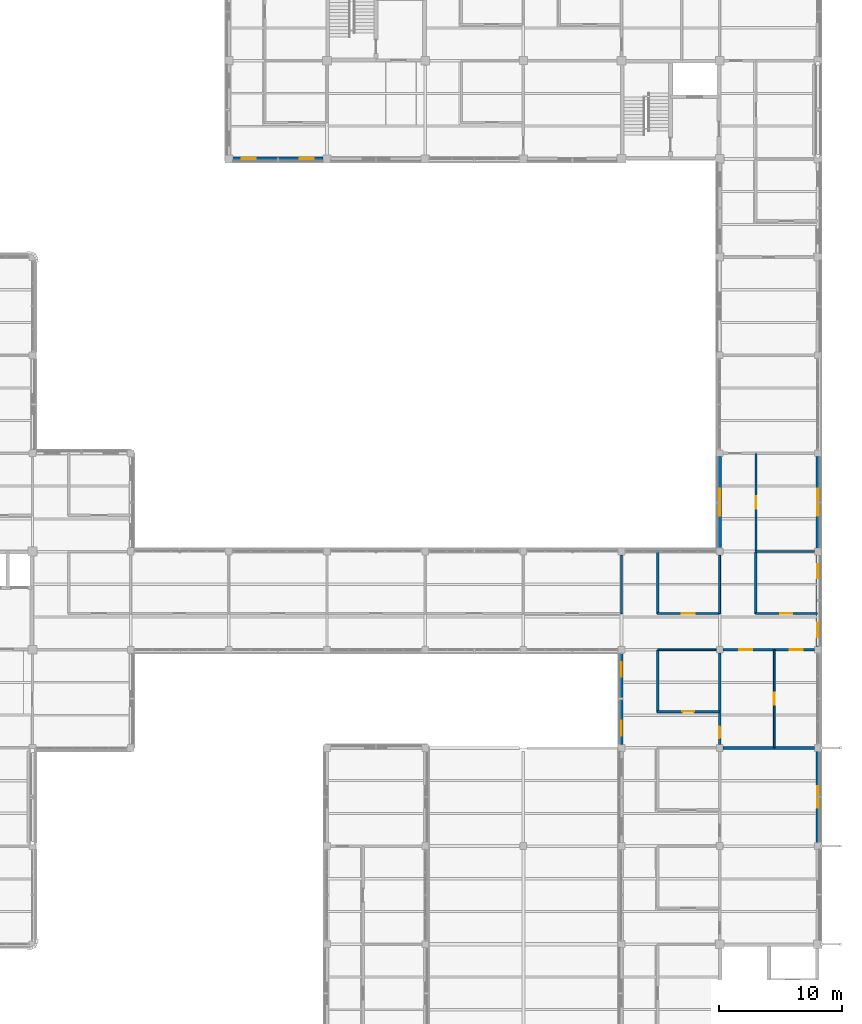
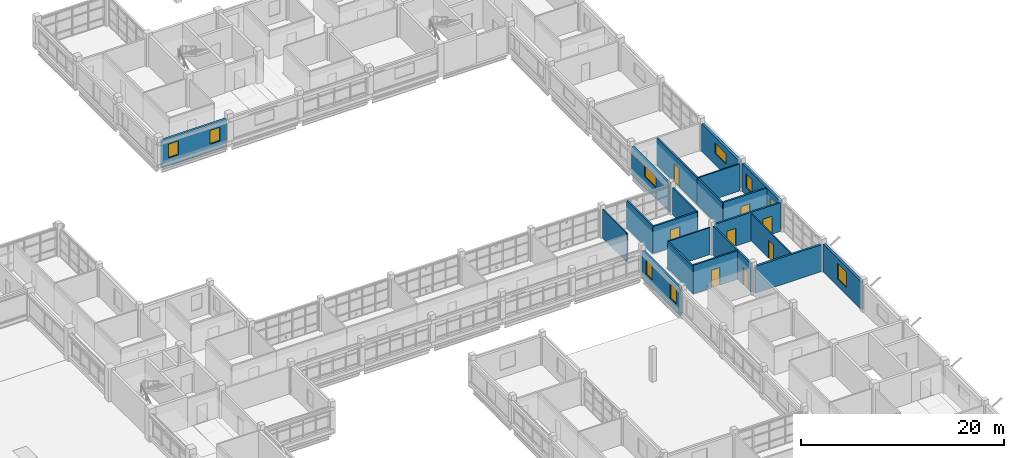
# One storey, part 85 of 107: 21 walls, 9 windows, 8 doors, 17 openings.
"""IFC4 building model written with IfcOpenShell, lengths in metres."""

import ifcopenshell
import ifcopenshell.guid

model = None  # the IFC model being written
_history = None  # IfcOwnerHistory: only IFC2X3 demands one
_inside = {}  # id of a spatial element -> (the spatial element, [elements in it])
_under = {}  # id of a project, library or spatial element -> (it, [spatial elements below it])
_declared = {}  # id of a project -> (the project, [libraries it declares])
_typed = {}  # id of a type object -> (the type object, [elements of that type])
_made_of = {}  # id of a material, layer set ... -> (it, [elements and type objects made of it])


def new_model(schema):
    """Start an empty IFC model of exactly this schema.

    Asked for "IFC4X3", IfcOpenShell would pick the latest addendum, in which some entities
    have other attributes; the version numbers below select the first issue.
    IFC2X3 requires an IfcOwnerHistory on every rooted entity: one is made here for all.
    """
    global model, _history
    if schema == "IFC4X3":
        model = ifcopenshell.file(schema_version=(4, 3, 0, 0))
    else:
        model = ifcopenshell.file(schema=schema)
    _inside.clear()
    _under.clear()
    _declared.clear()
    _typed.clear()
    _made_of.clear()
    _history = None
    if model.schema == "IFC2X3":
        org = make("IfcOrganization", Name="unknown")
        user = make(
            "IfcPersonAndOrganization",
            ThePerson=make("IfcPerson", FamilyName="unknown"),
            TheOrganization=org,
        )
        app = make(
            "IfcApplication",
            ApplicationDeveloper=org,
            Version="unknown",
            ApplicationFullName="unknown",
            ApplicationIdentifier="unknown",
        )
        _history = make(
            "IfcOwnerHistory",
            OwningUser=user,
            OwningApplication=app,
            ChangeAction="ADDED",
            CreationDate=0,
        )
    return model


def make(cls, **values):
    """One entity of the class cls with the attributes given. An attribute that is None is left unset."""
    return model.create_entity(
        cls, **{name: value for name, value in values.items() if value is not None}
    )


def rooted(cls, **values):
    """An entity with a GlobalId (a new one), such as an element, a storey or a relation."""
    return make(cls, GlobalId=ifcopenshell.guid.new(), OwnerHistory=_history, **values)


def si_unit(unit_type, name, prefix=None):
    """IfcSIUnit, for example si_unit("LENGTHUNIT", "METRE", prefix="MILLI")."""
    return make("IfcSIUnit", UnitType=unit_type, Prefix=prefix, Name=name)


def derived_unit(unit_type, elements):
    """IfcDerivedUnit: a product of units, each with its exponent."""
    return make(
        "IfcDerivedUnit",
        Elements=[
            make("IfcDerivedUnitElement", Unit=unit, Exponent=power)
            for unit, power in elements
        ],
        UnitType=unit_type,
    )


def assignment(units):
    """IfcUnitAssignment: the units of a project."""
    return None if units is None else make("IfcUnitAssignment", Units=units)


def point(xyz):
    """IfcCartesianPoint."""
    return None if xyz is None else make("IfcCartesianPoint", Coordinates=xyz)


def direction(xyz):
    """IfcDirection."""
    return None if xyz is None else make("IfcDirection", DirectionRatios=xyz)


def frame(location, z_axis=None, x_axis=None):
    """IfcAxis2Placement3D, a coordinate frame: its origin and axes. An axis left out is left unset."""
    return make(
        "IfcAxis2Placement3D",
        Location=point(location),
        Axis=direction(z_axis),
        RefDirection=direction(x_axis),
    )


def frame_2d(location, x_axis=None):
    """IfcAxis2Placement2D, a coordinate frame in the plane: its origin and x axis."""
    return make(
        "IfcAxis2Placement2D", Location=point(location), RefDirection=direction(x_axis)
    )


def origin():
    """The frame at (0, 0, 0) with its axes left unset."""
    return frame((0.0, 0.0, 0.0))


def place(relative_to, where):
    """IfcLocalPlacement: puts the frame where relative to a parent placement (None: the world)."""
    return make(
        "IfcLocalPlacement", PlacementRelTo=relative_to, RelativePlacement=where
    )


def context(
    kind, dimensions, precision=None, world=None, true_north=None, identifier=None
):
    """IfcGeometricRepresentationContext, for example the 3D "Model" context."""
    return make(
        "IfcGeometricRepresentationContext",
        ContextIdentifier=identifier,
        ContextType=kind,
        CoordinateSpaceDimension=dimensions,
        Precision=precision,
        WorldCoordinateSystem=world,
        TrueNorth=true_north,
    )


def subcontext(parent, identifier, kind, view, scale=None):
    """IfcGeometricRepresentationSubContext, for example "Body" below "Model"."""
    return make(
        "IfcGeometricRepresentationSubContext",
        ContextIdentifier=identifier,
        ContextType=kind,
        ParentContext=parent,
        TargetScale=scale,
        TargetView=view,
    )


def project(units=None, contexts=None):
    """IfcProject with its units and contexts."""
    return rooted(
        "IfcProject",
        Name="project",
        RepresentationContexts=contexts,
        UnitsInContext=assignment(units),
    )


def spatial(cls, under=None, at=None, **own):
    """A site, building, storey or space (cls), placed at a placement, below another one or the project."""
    s = rooted(cls, ObjectPlacement=at, **own)
    if under is not None:
        _under.setdefault(under.id(), (under, []))[1].append(s)
    return s


def profile(cls, at=None, kind="AREA", **sizes):
    """A parametric profile (cls). Its sizes go by their IFC names, for example OverallWidth=200.0."""
    return make(cls, ProfileType=kind, Position=at, **sizes)


def rectangle(**sizes):
    """IfcRectangleProfileDef."""
    return profile("IfcRectangleProfileDef", **sizes)


def extrude(swept, where, along, depth):
    """IfcExtrudedAreaSolid: the profile swept, set in the frame where, extruded along a direction by depth."""
    return make(
        "IfcExtrudedAreaSolid",
        SweptArea=swept,
        Position=where,
        ExtrudedDirection=direction(along),
        Depth=depth,
    )


def shape(context_of_items, identifier, shape_type, items):
    """IfcShapeRepresentation: the items that make up one representation, for example the "Body"."""
    return make(
        "IfcShapeRepresentation",
        ContextOfItems=context_of_items,
        RepresentationIdentifier=identifier,
        RepresentationType=shape_type,
        Items=items,
    )


def material(Name=None, Category=None):
    """IfcMaterial."""
    return make("IfcMaterial", Name=Name, Category=Category)


def layer(
    of_material, thickness, ventilated=None, Name=None, Category=None, Priority=None
):
    """IfcMaterialLayer: one layer of a wall or slab, of a material (None: an air gap)."""
    return make(
        "IfcMaterialLayer",
        Material=of_material,
        LayerThickness=thickness,
        IsVentilated=ventilated,
        Name=Name,
        Category=Category,
        Priority=Priority,
    )


def layer_set(layers, Name=None):
    """IfcMaterialLayerSet."""
    return make("IfcMaterialLayerSet", MaterialLayers=layers, LayerSetName=Name)


def made_of(thing, what):
    """Note that an element or type object is made of a material, layer set ...; save() writes the relation."""
    if what is not None:
        _made_of.setdefault(what.id(), (what, []))[1].append(thing)
    return thing


def type_object(cls, material=None, **own):
    """A type object (cls), such as IfcWallType, which elements share."""
    return made_of(rooted(cls, **own), material)


def element(
    cls,
    number,
    at=None,
    inside=None,
    cuts=None,
    type_object=None,
    material=None,
    context=None,
    identifier="Body",
    shape_type=None,
    held_by="IfcProductDefinitionShape",
    body=None,
    shapes=None,
    **own,
):
    """One element of the class cls, such as IfcWall. Its Tag is "e" and its number.

    at: its placement. inside: the storey or other place that contains it. cuts: it is an
    opening in that element (IfcRelVoidsElement). A single representation is given by context,
    identifier, shape_type and body (its items); several are given by shapes. held_by: the class
    of the entity that holds the representations. save() writes the other relations.
    """
    e = rooted(cls, Tag="e%d" % number, ObjectPlacement=at, **own)
    if body is not None:
        shapes = [shape(context, identifier, shape_type, body)]
    if shapes is not None:
        e.Representation = make(held_by, Representations=shapes)
    if inside is not None:
        _inside.setdefault(inside.id(), (inside, []))[1].append(e)
    if cuts is not None:
        rooted(
            "IfcRelVoidsElement", RelatingBuildingElement=cuts, RelatedOpeningElement=e
        )
    if type_object is not None:
        _typed.setdefault(type_object.id(), (type_object, []))[1].append(e)
    return made_of(e, material)


def fill(opening, filler):
    """IfcRelFillsElement: the door or window that sits in an opening."""
    return rooted(
        "IfcRelFillsElement",
        RelatingOpeningElement=opening,
        RelatedBuildingElement=filler,
    )


def aggregate(whole, parts):
    """IfcRelAggregates: a whole, such as a stair, and the parts it consists of."""
    return rooted("IfcRelAggregates", RelatingObject=whole, RelatedObjects=parts)


def save(model, path):
    """Write the relations noted so far, then the file.

    IfcRelAggregates (storeys below a building ...), IfcRelContainedInSpatialStructure (elements
    in a storey), IfcRelDefinesByType, IfcRelAssociatesMaterial and IfcRelDeclares: one each for
    every whole, place, type object, material and project.
    """
    for whole, parts in _under.values():
        aggregate(whole, parts)
    for where, things in _inside.values():
        rooted(
            "IfcRelContainedInSpatialStructure",
            RelatedElements=things,
            RelatingStructure=where,
        )
    for kind, things in _typed.values():
        rooted("IfcRelDefinesByType", RelatedObjects=things, RelatingType=kind)
    for what, things in _made_of.values():
        rooted("IfcRelAssociatesMaterial", RelatedObjects=things, RelatingMaterial=what)
    for by, libraries in _declared.values():
        rooted("IfcRelDeclares", RelatingContext=by, RelatedDefinitions=libraries)
    model.write(path)


model = new_model("IFC4")

# Units and contexts
model_context = context("Model", 3, precision=1e-05, world=origin(), true_north=direction((0.0, 1.0)))
body_context = subcontext(model_context, "Body", "Model", "MODEL_VIEW")
ifc_project = project(units=[si_unit("LENGTHUNIT", "METRE"), si_unit("AREAUNIT", "SQUARE_METRE"), si_unit("VOLUMEUNIT", "CUBIC_METRE"), si_unit("PLANEANGLEUNIT", "RADIAN"), si_unit("MASSUNIT", "GRAM", prefix="KILO"), derived_unit("THERMALTRANSMITTANCEUNIT", [(si_unit("MASSUNIT", "GRAM", prefix="KILO"), 1), (si_unit("TIMEUNIT", "SECOND"), -3), (si_unit("THERMODYNAMICTEMPERATUREUNIT", "KELVIN"), -1)])], contexts=[model_context])

# Site, building, storey
site_placement = place(None, origin())
site = spatial("IfcSite", under=ifc_project, at=site_placement, CompositionType="ELEMENT")
building_placement = place(site_placement, origin())
building = spatial("IfcBuilding", under=site, at=building_placement, Name="Veyamyaing Civic Hall", CompositionType="ELEMENT")
storey_placement = place(building_placement, frame((0.0, 0.0, 13.860107421875)))
storey = spatial("IfcBuildingStorey", under=building, at=storey_placement, Name="L03", CompositionType="ELEMENT", Elevation=13.860107421875)

# Wall, openings, windows
ifc_material_1 = material(Name="Precast concrete C40/50", Category="concrete")
ifc_layer_1 = layer(ifc_material_1, 0.280029296875, Name="Precast concrete C40/50")
ifc_layer_set_1 = layer_set([ifc_layer_1], Name="Precast concrete C40/50")
wall_type_1 = type_object("IfcWallType", Name="WT-04", PredefinedType="SOLIDWALL", material=ifc_layer_set_1)
wall_1_placement = place(storey_placement, frame((128.31005859375, 88.0, 0.0), z_axis=(0.0, 0.0, 1.0), x_axis=(1.0, 0.0, 0.0)))
wall_1 = element("IfcWall", 1, at=wall_1_placement, inside=storey, type_object=wall_type_1, Name="Exterior facade wall WT-04 L03 S 17.12", PredefinedType="SOLIDWALL", context=body_context, shape_type="SweptSolid", body=[
    extrude(rectangle(XDim=7.3798828125, YDim=0.280029296875, at=frame_2d((3.68994140625, 0.0))), origin(), (0.0, 0.0, 1.0), 3.303955078125),
])
opening_1_placement = place(wall_1_placement, frame((0.75341796875, 0.0, 0.949951171875)))
opening_1 = element("IfcOpeningElement", 2, at=opening_1_placement, cuts=wall_1, Name="Opening W-32", PredefinedType="OPENING", context=body_context, shape_type="SweptSolid", body=[
    extrude(rectangle(XDim=1.14990234375, YDim=1.64990234375, at=frame_2d((0.574951171875, 0.824951171875))), frame((0.0, 0.14990234375, 0.0), z_axis=(0.0, -1.0, 0.0), x_axis=(1.0, 0.0, 0.0)), (0.0, 0.0, 1.0), 0.300048828125),
])
opening_2_placement = place(wall_1_placement, frame((5.4765625, 0.0, 0.949951171875)))
opening_2 = element("IfcOpeningElement", 3, at=opening_2_placement, cuts=wall_1, Name="Opening W-32", PredefinedType="OPENING", context=body_context, shape_type="SweptSolid", body=[
    extrude(rectangle(XDim=1.14990234375, YDim=1.64990234375, at=frame_2d((0.574951171875, 0.824951171875))), frame((0.0, 0.14990234375, 0.0), z_axis=(0.0, -1.0, 0.0), x_axis=(1.0, 0.0, 0.0)), (0.0, 0.0, 1.0), 0.300048828125),
])
ifc_material_2 = material(Name="Low-E insulated glass", Category="glass")
window_type_1 = type_object("IfcWindowType", Name="W-32", PartitioningType="SINGLE_PANEL", PredefinedType="WINDOW", material=ifc_material_2)
window_1_placement = place(opening_1_placement, origin())
window_1 = element("IfcWindow", 4, at=window_1_placement, inside=storey, type_object=window_type_1, Name="Facade window W-32 L03 S 17.12.1", OverallHeight=1.64990234375, OverallWidth=1.14990234375, PartitioningType="SINGLE_PANEL", PredefinedType="WINDOW", context=body_context, shape_type="SweptSolid", body=[
    extrude(rectangle(XDim=1.14990234375, YDim=1.64990234375, at=frame_2d((0.574951171875, 0.824951171875))), frame((0.0, 0.030029296875, 0.0), z_axis=(0.0, -1.0, 0.0), x_axis=(1.0, 0.0, 0.0)), (0.0, 0.0, 1.0), 0.06005859375),
])
fill(opening_1, window_1)
window_2_placement = place(opening_2_placement, origin())
window_2 = element("IfcWindow", 5, at=window_2_placement, inside=storey, type_object=window_type_1, Name="Facade window W-32 L03 S 17.12.2", OverallHeight=1.64990234375, OverallWidth=1.14990234375, PartitioningType="SINGLE_PANEL", PredefinedType="WINDOW", context=body_context, shape_type="SweptSolid", body=[
    extrude(rectangle(XDim=1.14990234375, YDim=1.64990234375, at=frame_2d((0.574951171875, 0.824951171875))), frame((0.0, 0.030029296875, 0.0), z_axis=(0.0, -1.0, 0.0), x_axis=(1.0, 0.0, 0.0)), (0.0, 0.0, 1.0), 0.06005859375),
])
fill(opening_2, window_2)

wall_2_placement = place(storey_placement, frame((160.0, 40.260009765625, 0.0), z_axis=(0.0, 0.0, 1.0), x_axis=(0.0, 1.0, 0.0)))
wall_2 = element("IfcWall", 6, at=wall_2_placement, inside=storey, type_object=wall_type_1, Name="Exterior facade wall WT-04 L03 W 21.6", PredefinedType="SOLIDWALL", context=body_context, shape_type="SweptSolid", body=[
    extrude(rectangle(XDim=7.47998046875, YDim=0.280029296875, at=frame_2d((3.739990234375, 0.0))), origin(), (0.0, 0.0, 1.0), 3.304931640625),
])
opening_3_placement = place(wall_2_placement, frame((0.746337890625, 0.0, 0.949951171875)))
opening_3 = element("IfcOpeningElement", 7, at=opening_3_placement, cuts=wall_2, Name="Opening W-14", PredefinedType="OPENING", context=body_context, shape_type="SweptSolid", body=[
    extrude(rectangle(XDim=1.199951171875, YDim=1.800048828125, at=frame_2d((0.60009765625, 0.89990234375))), frame((0.0, 0.14990234375, 0.0), z_axis=(0.0, -1.0, 0.0), x_axis=(1.0, 0.0, 0.0)), (0.0, 0.0, 1.0), 0.300048828125),
])
opening_4_placement = place(wall_2_placement, frame((5.53369140625, 0.0, 0.949951171875)))
opening_4 = element("IfcOpeningElement", 8, at=opening_4_placement, cuts=wall_2, Name="Opening W-14", PredefinedType="OPENING", context=body_context, shape_type="SweptSolid", body=[
    extrude(rectangle(XDim=1.199951171875, YDim=1.800048828125, at=frame_2d((0.60009765625, 0.89990234375))), frame((0.0, 0.14990234375, 0.0), z_axis=(0.0, -1.0, 0.0), x_axis=(1.0, 0.0, 0.0)), (0.0, 0.0, 1.0), 0.300048828125),
])
window_type_2 = type_object("IfcWindowType", Name="W-14", PartitioningType="SINGLE_PANEL", PredefinedType="WINDOW", material=ifc_material_2)
window_3_placement = place(opening_3_placement, origin())
window_3 = element("IfcWindow", 9, at=window_3_placement, inside=storey, type_object=window_type_2, Name="Facade window W-14 L03 W 21.6.1", OverallHeight=1.800048828125, OverallWidth=1.199951171875, PartitioningType="SINGLE_PANEL", PredefinedType="WINDOW", context=body_context, shape_type="SweptSolid", body=[
    extrude(rectangle(XDim=1.199951171875, YDim=1.800048828125, at=frame_2d((0.60009765625, 0.89990234375))), frame((0.0, 0.030029296875, 0.0), z_axis=(0.0, -1.0, 0.0), x_axis=(1.0, 0.0, 0.0)), (0.0, 0.0, 1.0), 0.06005859375),
])
fill(opening_3, window_3)
window_4_placement = place(opening_4_placement, origin())
window_4 = element("IfcWindow", 10, at=window_4_placement, inside=storey, type_object=window_type_2, Name="Facade window W-14 L03 W 21.6.2", OverallHeight=1.800048828125, OverallWidth=1.199951171875, PartitioningType="SINGLE_PANEL", PredefinedType="WINDOW", context=body_context, shape_type="SweptSolid", body=[
    extrude(rectangle(XDim=1.199951171875, YDim=1.800048828125, at=frame_2d((0.60009765625, 0.89990234375))), frame((0.0, 0.030029296875, 0.0), z_axis=(0.0, -1.0, 0.0), x_axis=(1.0, 0.0, 0.0)), (0.0, 0.0, 1.0), 0.06005859375),
])
fill(opening_4, window_4)

wall_3_placement = place(storey_placement, frame((176.0, 48.260009765625, 0.0), z_axis=(0.0, 0.0, 1.0), x_axis=(0.0, 1.0, 0.0)))
wall_3 = element("IfcWall", 11, at=wall_3_placement, inside=storey, type_object=wall_type_1, Name="Exterior facade wall WT-04 L03 E 22.7", PredefinedType="SOLIDWALL", context=body_context, shape_type="SweptSolid", body=[
    extrude(rectangle(XDim=7.47998046875, YDim=0.280029296875, at=frame_2d((3.739990234375, 0.0))), origin(), (0.0, 0.0, 1.0), 3.366943359375),
])
opening_5_placement = place(wall_3_placement, frame((0.771484375, 0.0, 0.949951171875)))
opening_5 = element("IfcOpeningElement", 12, at=opening_5_placement, cuts=wall_3, Name="Opening W-32", PredefinedType="OPENING", context=body_context, shape_type="SweptSolid", body=[
    extrude(rectangle(XDim=1.14990234375, YDim=1.64990234375, at=frame_2d((0.574951171875, 0.824951171875))), frame((0.0, 0.14990234375, 0.0), z_axis=(0.0, -1.0, 0.0), x_axis=(1.0, 0.0, 0.0)), (0.0, 0.0, 1.0), 0.300048828125),
])
opening_6_placement = place(wall_3_placement, frame((5.55859375, 0.0, 0.949951171875)))
opening_6 = element("IfcOpeningElement", 13, at=opening_6_placement, cuts=wall_3, Name="Opening W-32", PredefinedType="OPENING", context=body_context, shape_type="SweptSolid", body=[
    extrude(rectangle(XDim=1.14990234375, YDim=1.64990234375, at=frame_2d((0.574951171875, 0.824951171875))), frame((0.0, 0.14990234375, 0.0), z_axis=(0.0, -1.0, 0.0), x_axis=(1.0, 0.0, 0.0)), (0.0, 0.0, 1.0), 0.300048828125),
])
window_5_placement = place(opening_5_placement, origin())
window_5 = element("IfcWindow", 14, at=window_5_placement, inside=storey, type_object=window_type_1, Name="Facade window W-32 L03 E 22.7.1", OverallHeight=1.64990234375, OverallWidth=1.14990234375, PartitioningType="SINGLE_PANEL", PredefinedType="WINDOW", context=body_context, shape_type="SweptSolid", body=[
    extrude(rectangle(XDim=1.14990234375, YDim=1.64990234375, at=frame_2d((0.574951171875, 0.824951171875))), frame((0.0, 0.030029296875, 0.0), z_axis=(0.0, -1.0, 0.0), x_axis=(1.0, 0.0, 0.0)), (0.0, 0.0, 1.0), 0.06005859375),
])
fill(opening_5, window_5)
window_6_placement = place(opening_6_placement, origin())
window_6 = element("IfcWindow", 15, at=window_6_placement, inside=storey, type_object=window_type_1, Name="Facade window W-32 L03 E 22.7.2", OverallHeight=1.64990234375, OverallWidth=1.14990234375, PartitioningType="SINGLE_PANEL", PredefinedType="WINDOW", context=body_context, shape_type="SweptSolid", body=[
    extrude(rectangle(XDim=1.14990234375, YDim=1.64990234375, at=frame_2d((0.574951171875, 0.824951171875))), frame((0.0, 0.030029296875, 0.0), z_axis=(0.0, -1.0, 0.0), x_axis=(1.0, 0.0, 0.0)), (0.0, 0.0, 1.0), 0.06005859375),
])
fill(opening_6, window_6)

# Wall, opening, window
wall_4_placement = place(storey_placement, frame((168.0, 56.260009765625, 0.0), z_axis=(0.0, 0.0, 1.0), x_axis=(0.0, 1.0, 0.0)))
wall_4 = element("IfcWall", 16, at=wall_4_placement, inside=storey, type_object=wall_type_1, Name="Exterior facade wall WT-04 L03 W 22.8", PredefinedType="SOLIDWALL", context=body_context, shape_type="SweptSolid", body=[
    extrude(rectangle(XDim=7.47998046875, YDim=0.280029296875, at=frame_2d((3.739990234375, 0.0))), origin(), (0.0, 0.0, 1.0), 3.366943359375),
])
opening_7_placement = place(wall_4_placement, frame((2.639892578125, 0.0, 1.35009765625)))
opening_7 = element("IfcOpeningElement", 17, at=opening_7_placement, cuts=wall_4, Name="Opening W-18", PredefinedType="OPENING", context=body_context, shape_type="SweptSolid", body=[
    extrude(rectangle(XDim=2.199951171875, YDim=1.300048828125, at=frame_2d((1.10009765625, 0.64990234375))), frame((0.0, 0.14990234375, 0.0), z_axis=(0.0, -1.0, 0.0), x_axis=(1.0, 0.0, 0.0)), (0.0, 0.0, 1.0), 0.300048828125),
])
window_type_3 = type_object("IfcWindowType", Name="W-18", PartitioningType="SINGLE_PANEL", PredefinedType="WINDOW", material=ifc_material_2)
window_7_placement = place(opening_7_placement, origin())
window_7 = element("IfcWindow", 18, at=window_7_placement, inside=storey, type_object=window_type_3, Name="Facade window W-18 L03 W 22.8", OverallHeight=1.300048828125, OverallWidth=2.199951171875, PartitioningType="SINGLE_PANEL", PredefinedType="WINDOW", context=body_context, shape_type="SweptSolid", body=[
    extrude(rectangle(XDim=2.199951171875, YDim=1.300048828125, at=frame_2d((1.10009765625, 0.64990234375))), frame((0.0, 0.030029296875, 0.0), z_axis=(0.0, -1.0, 0.0), x_axis=(1.0, 0.0, 0.0)), (0.0, 0.0, 1.0), 0.06005859375),
])
fill(opening_7, window_7)

wall_5_placement = place(storey_placement, frame((176.0, 56.260009765625, 0.0), z_axis=(0.0, 0.0, 1.0), x_axis=(0.0, 1.0, 0.0)))
wall_5 = element("IfcWall", 19, at=wall_5_placement, inside=storey, type_object=wall_type_1, Name="Exterior facade wall WT-04 L03 E 22.8", PredefinedType="SOLIDWALL", context=body_context, shape_type="SweptSolid", body=[
    extrude(rectangle(XDim=7.47998046875, YDim=0.280029296875, at=frame_2d((3.739990234375, 0.0))), origin(), (0.0, 0.0, 1.0), 3.2998046875),
])
opening_8_placement = place(wall_5_placement, frame((2.639892578125, 0.0, 1.35009765625)))
opening_8 = element("IfcOpeningElement", 20, at=opening_8_placement, cuts=wall_5, Name="Opening W-18", PredefinedType="OPENING", context=body_context, shape_type="SweptSolid", body=[
    extrude(rectangle(XDim=2.199951171875, YDim=1.300048828125, at=frame_2d((1.10009765625, 0.64990234375))), frame((0.0, 0.14990234375, 0.0), z_axis=(0.0, -1.0, 0.0), x_axis=(1.0, 0.0, 0.0)), (0.0, 0.0, 1.0), 0.300048828125),
])
window_8_placement = place(opening_8_placement, origin())
window_8 = element("IfcWindow", 21, at=window_8_placement, inside=storey, type_object=window_type_3, Name="Facade window W-18 L03 E 22.8", OverallHeight=1.300048828125, OverallWidth=2.199951171875, PartitioningType="SINGLE_PANEL", PredefinedType="WINDOW", context=body_context, shape_type="SweptSolid", body=[
    extrude(rectangle(XDim=2.199951171875, YDim=1.300048828125, at=frame_2d((1.10009765625, 0.64990234375))), frame((0.0, 0.030029296875, 0.0), z_axis=(0.0, -1.0, 0.0), x_axis=(1.0, 0.0, 0.0)), (0.0, 0.0, 1.0), 0.06005859375),
])
fill(opening_8, window_8)

# Wall, opening, door
ifc_material_3 = material(Name="Concrete C40/50", Category="concrete")
ifc_layer_2 = layer(ifc_material_3, 0.199951171875, Name="Concrete C40/50")
ifc_layer_set_2 = layer_set([ifc_layer_2], Name="Concrete C40/50")
wall_type_2 = type_object("IfcWallType", Name="WT-06", PredefinedType="PARTITIONING", material=ifc_layer_set_2)
wall_6_placement = place(storey_placement, frame((168.0, 40.264892578125, 0.0), z_axis=(0.0, 0.0, 1.0), x_axis=(0.0, 1.0, 0.0)))
wall_6 = element("IfcWall", 22, at=wall_6_placement, inside=storey, type_object=wall_type_2, Name="Interior partition wall WT-06 L03.30", PredefinedType="PARTITIONING", context=body_context, shape_type="SweptSolid", body=[
    extrude(rectangle(XDim=7.47021484375, YDim=0.199951171875, at=frame_2d((3.735107421875, 0.0))), origin(), (0.0, 0.0, 1.0), 3.451904296875),
])
opening_9_placement = place(wall_6_placement, frame((0.52001953125, 0.0, 0.0)))
opening_9 = element("IfcOpeningElement", 23, at=opening_9_placement, cuts=wall_6, Name="Opening D-30", PredefinedType="OPENING", context=body_context, shape_type="SweptSolid", body=[
    extrude(rectangle(XDim=0.93994140625, YDim=2.1201171875, at=frame_2d((0.469970703125, 1.06005859375))), frame((0.0, 0.10986328125, 0.0), z_axis=(0.0, -1.0, 0.0), x_axis=(1.0, 0.0, 0.0)), (0.0, 0.0, 1.0), 0.219970703125),
])
ifc_material_4 = material(Name="Teak-veneered acoustic timber", Category="wood")
door_type_1 = type_object("IfcDoorType", Name="D-30", OperationType="NOTDEFINED", PredefinedType="DOOR", material=ifc_material_4)
door_1_placement = place(opening_9_placement, frame((0.93994140625, 0.0, 0.0), z_axis=(0.0, 0.0, 1.0), x_axis=(-1.0, 0.0, 0.0)))
door_1 = element("IfcDoor", 24, at=door_1_placement, inside=storey, type_object=door_type_1, Name="Interior door D-30 L03.30", OperationType="SINGLE_SWING_RIGHT", OverallHeight=2.1201171875, OverallWidth=0.93994140625, PredefinedType="DOOR", context=body_context, shape_type="SweptSolid", body=[
    extrude(rectangle(XDim=0.93994140625, YDim=2.1201171875, at=frame_2d((0.469970703125, 1.06005859375))), frame((0.0, 0.02490234375, 0.0), z_axis=(0.0, -1.0, 0.0), x_axis=(1.0, 0.0, 0.0)), (0.0, 0.0, 1.0), 0.050048828125),
])
fill(opening_9, door_1)

# Wall, openings, doors
wall_7_placement = place(storey_placement, frame((168.264892578125, 48.0, 0.0), z_axis=(0.0, 0.0, 1.0), x_axis=(1.0, 0.0, 0.0)))
wall_7 = element("IfcWall", 25, at=wall_7_placement, inside=storey, type_object=wall_type_2, Name="Interior partition wall WT-06 L03.36", PredefinedType="PARTITIONING", context=body_context, shape_type="SweptSolid", body=[
    extrude(rectangle(XDim=7.47021484375, YDim=0.199951171875, at=frame_2d((3.735107421875, 0.0))), origin(), (0.0, 0.0, 1.0), 3.451904296875),
])
opening_10_placement = place(wall_7_placement, frame((1.342529296875, 0.0, 0.0)))
opening_10 = element("IfcOpeningElement", 26, at=opening_10_placement, cuts=wall_7, Name="Opening D-12", PredefinedType="OPENING", context=body_context, shape_type="SweptSolid", body=[
    extrude(rectangle(XDim=1.050048828125, YDim=2.14990234375, at=frame_2d((0.52490234375, 1.074951171875))), frame((0.0, 0.10986328125, 0.0), z_axis=(0.0, -1.0, 0.0), x_axis=(1.0, 0.0, 0.0)), (0.0, 0.0, 1.0), 0.219970703125),
])
opening_11_placement = place(wall_7_placement, frame((5.450927734375, 0.0, 0.0)))
opening_11 = element("IfcOpeningElement", 27, at=opening_11_placement, cuts=wall_7, Name="Opening D-12", PredefinedType="OPENING", context=body_context, shape_type="SweptSolid", body=[
    extrude(rectangle(XDim=1.050048828125, YDim=2.14990234375, at=frame_2d((0.52490234375, 1.074951171875))), frame((0.0, 0.10986328125, 0.0), z_axis=(0.0, -1.0, 0.0), x_axis=(1.0, 0.0, 0.0)), (0.0, 0.0, 1.0), 0.219970703125),
])
door_type_2 = type_object("IfcDoorType", Name="D-12", OperationType="NOTDEFINED", PredefinedType="DOOR", material=ifc_material_4)
door_2_placement = place(opening_10_placement, frame((1.050048828125, 0.0, 0.0), z_axis=(0.0, 0.0, 1.0), x_axis=(-1.0, 0.0, 0.0)))
door_2 = element("IfcDoor", 28, at=door_2_placement, inside=storey, type_object=door_type_2, Name="Interior room door D-12 L03.36.1", OperationType="SINGLE_SWING_RIGHT", OverallHeight=2.14990234375, OverallWidth=1.050048828125, PredefinedType="DOOR", context=body_context, shape_type="SweptSolid", body=[
    extrude(rectangle(XDim=1.050048828125, YDim=2.14990234375, at=frame_2d((0.52490234375, 1.074951171875))), frame((0.0, 0.02490234375, 0.0), z_axis=(0.0, -1.0, 0.0), x_axis=(1.0, 0.0, 0.0)), (0.0, 0.0, 1.0), 0.050048828125),
])
fill(opening_10, door_2)
door_3_placement = place(opening_11_placement, frame((1.050048828125, 0.0, 0.0), z_axis=(0.0, 0.0, 1.0), x_axis=(-1.0, 0.0, 0.0)))
door_3 = element("IfcDoor", 29, at=door_3_placement, inside=storey, type_object=door_type_2, Name="Interior room door D-12 L03.36.2", OperationType="SINGLE_SWING_LEFT", OverallHeight=2.14990234375, OverallWidth=1.050048828125, PredefinedType="DOOR", context=body_context, shape_type="SweptSolid", body=[
    extrude(rectangle(XDim=1.050048828125, YDim=2.14990234375, at=frame_2d((0.52490234375, 1.074951171875))), frame((0.0, 0.02490234375, 0.0), z_axis=(0.0, -1.0, 0.0), x_axis=(1.0, 0.0, 0.0)), (0.0, 0.0, 1.0), 0.050048828125),
])
fill(opening_11, door_3)

# Wall, opening, door
ifc_material_5 = material(Name="Gypsum board on acoustic steel stud", Category="steel")
ifc_layer_3 = layer(ifc_material_5, 0.175048828125, Name="Gypsum board on acoustic steel stud")
ifc_layer_set_3 = layer_set([ifc_layer_3], Name="Gypsum board on acoustic steel stud")
wall_type_3 = type_object("IfcWallType", Name="WT-07", PredefinedType="PARTITIONING", material=ifc_layer_set_3)
wall_8_placement = place(storey_placement, frame((162.89990234375, 42.949951171875, 0.0), z_axis=(0.0, 0.0, 1.0), x_axis=(1.0, 0.0, 0.0)))
wall_8 = element("IfcWall", 30, at=wall_8_placement, inside=storey, type_object=wall_type_3, Name="Corridor gallery partition WT-07 L03.55.1", PredefinedType="PARTITIONING", context=body_context, shape_type="SweptSolid", body=[
    extrude(rectangle(XDim=5.080078125, YDim=0.175048828125, at=frame_2d((2.5400390625, 0.0))), origin(), (0.0, 0.0, 1.0), 3.451904296875),
])
opening_12_placement = place(wall_8_placement, frame((2.070068359375, 0.0, 0.0)))
opening_12 = element("IfcOpeningElement", 31, at=opening_12_placement, cuts=wall_8, Name="Opening D-30", PredefinedType="OPENING", context=body_context, shape_type="SweptSolid", body=[
    extrude(rectangle(XDim=0.93994140625, YDim=2.1201171875, at=frame_2d((0.469970703125, 1.06005859375))), frame((0.0, 0.097412109375, 0.0), z_axis=(0.0, -1.0, 0.0), x_axis=(1.0, 0.0, 0.0)), (0.0, 0.0, 1.0), 0.195068359375),
])
door_4_placement = place(opening_12_placement, origin())
door_4 = element("IfcDoor", 32, at=door_4_placement, inside=storey, type_object=door_type_1, Name="Gallery office door D-30 L03.55", OperationType="SINGLE_SWING_LEFT", OverallHeight=2.1201171875, OverallWidth=0.93994140625, PredefinedType="DOOR", context=body_context, shape_type="SweptSolid", body=[
    extrude(rectangle(XDim=0.93994140625, YDim=2.1201171875, at=frame_2d((0.469970703125, 1.06005859375))), frame((0.0, 0.02490234375, 0.0), z_axis=(0.0, -1.0, 0.0), x_axis=(1.0, 0.0, 0.0)), (0.0, 0.0, 1.0), 0.050048828125),
])
fill(opening_12, door_4)

# Wall
wall_9_placement = place(storey_placement, frame((162.949951171875, 42.89990234375, 0.0), z_axis=(0.0, 0.0, 1.0), x_axis=(0.0, 1.0, 0.0)))
element("IfcWall", 33, at=wall_9_placement, inside=storey, type_object=wall_type_3, Name="Corridor gallery partition WT-07 L03.55.2", PredefinedType="PARTITIONING", context=body_context, shape_type="SweptSolid", body=[
    extrude(rectangle(XDim=5.080078125, YDim=0.175048828125, at=frame_2d((2.5400390625, 0.0))), origin(), (0.0, 0.0, 1.0), 3.240966796875),
])

# Wall, opening, door
wall_10_placement = place(storey_placement, frame((170.949951171875, 56.02001953125, 0.0), z_axis=(0.0, 0.0, 1.0), x_axis=(0.0, 1.0, 0.0)))
wall_10 = element("IfcWall", 34, at=wall_10_placement, inside=storey, type_object=wall_type_3, Name="Corridor gallery partition WT-07 L03.59.1", PredefinedType="PARTITIONING", context=body_context, shape_type="SweptSolid", body=[
    extrude(rectangle(XDim=7.9599609375, YDim=0.175048828125, at=frame_2d((3.97998046875, 0.0))), origin(), (0.0, 0.0, 1.0), 3.246826171875),
])
opening_13_placement = place(wall_10_placement, frame((3.469970703125, 0.0, 0.0)))
opening_13 = element("IfcOpeningElement", 35, at=opening_13_placement, cuts=wall_10, Name="Opening D-19", PredefinedType="OPENING", context=body_context, shape_type="SweptSolid", body=[
    extrude(rectangle(XDim=1.02001953125, YDim=2.199951171875, at=frame_2d((0.510009765625, 1.10009765625))), frame((0.0, 0.097412109375, 0.0), z_axis=(0.0, -1.0, 0.0), x_axis=(1.0, 0.0, 0.0)), (0.0, 0.0, 1.0), 0.195068359375),
])
door_type_3 = type_object("IfcDoorType", Name="D-19", OperationType="NOTDEFINED", PredefinedType="DOOR", material=ifc_material_4)
door_5_placement = place(opening_13_placement, frame((1.02001953125, 0.0, 0.0), z_axis=(0.0, 0.0, 1.0), x_axis=(-1.0, 0.0, 0.0)))
door_5 = element("IfcDoor", 36, at=door_5_placement, inside=storey, type_object=door_type_3, Name="Gallery office door D-19 L03.59", OperationType="SINGLE_SWING_LEFT", OverallHeight=2.199951171875, OverallWidth=1.02001953125, PredefinedType="DOOR", context=body_context, shape_type="SweptSolid", body=[
    extrude(rectangle(XDim=1.02001953125, YDim=2.199951171875, at=frame_2d((0.510009765625, 1.10009765625))), frame((0.0, 0.02490234375, 0.0), z_axis=(0.0, -1.0, 0.0), x_axis=(1.0, 0.0, 0.0)), (0.0, 0.0, 1.0), 0.050048828125),
])
fill(opening_13, door_5)

# Walls
ifc_material_6 = material(Name="Gypsum board on steel stud", Category="steel")
ifc_layer_4 = layer(ifc_material_6, 0.14990234375, Name="Gypsum board on steel stud")
ifc_layer_set_4 = layer_set([ifc_layer_4], Name="Gypsum board on steel stud")
wall_type_4 = type_object("IfcWallType", Name="WT-08", PredefinedType="PARTITIONING", material=ifc_layer_set_4)
wall_11_placement = place(storey_placement, frame((160.0, 50.949951171875, 0.0), z_axis=(0.0, 0.0, 1.0), x_axis=(0.0, 1.0, 0.0)))
element("IfcWall", 37, at=wall_11_placement, inside=storey, type_object=wall_type_4, Name="Gallery office end partition WT-08 L03.48.2", PredefinedType="PARTITIONING", context=body_context, shape_type="SweptSolid", body=[
    extrude(rectangle(XDim=4.76513671875, YDim=0.14990234375, at=frame_2d((2.382568359375, 0.0))), origin(), (0.0, 0.0, 1.0), 3.451904296875),
])
wall_12_placement = place(storey_placement, frame((162.949951171875, 48.0, 0.0), z_axis=(0.0, 0.0, 1.0), x_axis=(1.0, 0.0, 0.0)))
element("IfcWall", 38, at=wall_12_placement, inside=storey, type_object=wall_type_4, Name="Gallery office end partition WT-08 L03.55.1", PredefinedType="PARTITIONING", context=body_context, shape_type="SweptSolid", body=[
    extrude(rectangle(XDim=4.76513671875, YDim=0.14990234375, at=frame_2d((2.382568359375, 0.0))), origin(), (0.0, 0.0, 1.0), 3.240966796875),
])
for number, where, z_axis, x_axis, name in (
    (39, (168.0, 50.949951171875, 0.0), (0.0, 0.0, 1.0), (0.0, 1.0, 0.0), "Gallery office end partition WT-08 L03.56.2"),
    (40, (170.949951171875, 56.0, 0.0), (0.0, 0.0, 1.0), (1.0, 0.0, 0.0), "Gallery office end partition WT-08 L03.58.1"),
):
    element("IfcWall", number, at=place(storey_placement, frame(where, z_axis=z_axis, x_axis=x_axis)), inside=storey, type_object=wall_type_4, Name=name, PredefinedType="PARTITIONING", context=body_context, shape_type="SweptSolid", body=[
        extrude(rectangle(XDim=4.76513671875, YDim=0.14990234375, at=frame_2d((2.382568359375, 0.0))), origin(), (0.0, 0.0, 1.0), 3.246826171875),
    ])
ifc_layer_5 = layer(ifc_material_3, 0.235107421875, Name="Concrete C40/50")
ifc_layer_set_5 = layer_set([ifc_layer_5], Name="Concrete C40/50")
wall_type_5 = type_object("IfcWallType", Name="WT-13", PredefinedType="PARTITIONING", material=ifc_layer_set_5)
wall_13_placement = place(storey_placement, frame((168.264892578125, 40.0, 0.0), z_axis=(0.0, 0.0, 1.0), x_axis=(1.0, 0.0, 0.0)))
element("IfcWall", 41, at=wall_13_placement, inside=storey, type_object=wall_type_5, Name="Interior partition wall WT-13 L03.35", PredefinedType="PARTITIONING", context=body_context, shape_type="SweptSolid", body=[
    extrude(rectangle(XDim=7.47021484375, YDim=0.235107421875, at=frame_2d((3.735107421875, 0.0))), origin(), (0.0, 0.0, 1.0), 3.240966796875),
])

# Wall, opening, door
ifc_layer_6 = layer(ifc_material_6, 0.135009765625, Name="Gypsum board on steel stud")
ifc_layer_set_6 = layer_set([ifc_layer_6], Name="Gypsum board on steel stud")
wall_type_6 = type_object("IfcWallType", Name="WT-15", PredefinedType="PARTITIONING", material=ifc_layer_set_6)
wall_14_placement = place(storey_placement, frame((172.449951171875, 40.02001953125, 0.0), z_axis=(0.0, 0.0, 1.0), x_axis=(0.0, 1.0, 0.0)))
wall_14 = element("IfcWall", 42, at=wall_14_placement, inside=storey, type_object=wall_type_6, Name="Sub-bay room partition WT-15 L03.5", PredefinedType="PARTITIONING", context=body_context, shape_type="SweptSolid", body=[
    extrude(rectangle(XDim=7.9599609375, YDim=0.135009765625, at=frame_2d((3.97998046875, 0.0))), origin(), (0.0, 0.0, 1.0), 3.240966796875),
])
opening_14_placement = place(wall_14_placement, frame((3.489990234375, 0.0, 0.0)))
opening_14 = element("IfcOpeningElement", 43, at=opening_14_placement, cuts=wall_14, Name="Opening D-14", PredefinedType="OPENING", context=body_context, shape_type="SweptSolid", body=[
    extrude(rectangle(XDim=0.97998046875, YDim=2.14990234375, at=frame_2d((0.489990234375, 1.074951171875))), frame((0.0, 0.077392578125, 0.0), z_axis=(0.0, -1.0, 0.0), x_axis=(1.0, 0.0, 0.0)), (0.0, 0.0, 1.0), 0.155029296875),
])
door_type_4 = type_object("IfcDoorType", Name="D-14", OperationType="NOTDEFINED", PredefinedType="DOOR", material=ifc_material_4)
door_6_placement = place(opening_14_placement, origin())
door_6 = element("IfcDoor", 44, at=door_6_placement, inside=storey, type_object=door_type_4, Name="Suite connecting door D-14 L03.5", OperationType="SINGLE_SWING_LEFT", OverallHeight=2.14990234375, OverallWidth=0.97998046875, PredefinedType="DOOR", context=body_context, shape_type="SweptSolid", body=[
    extrude(rectangle(XDim=0.97998046875, YDim=2.14990234375, at=frame_2d((0.489990234375, 1.074951171875))), frame((0.0, 0.02490234375, 0.0), z_axis=(0.0, -1.0, 0.0), x_axis=(1.0, 0.0, 0.0)), (0.0, 0.0, 1.0), 0.050048828125),
])
fill(opening_14, door_6)

# Wall, opening, window
ifc_layer_7 = layer(ifc_material_1, 0.27001953125, Name="Precast concrete C40/50")
ifc_layer_set_7 = layer_set([ifc_layer_7], Name="Precast concrete C40/50")
wall_type_7 = type_object("IfcWallType", Name="WT-18", PredefinedType="SOLIDWALL", material=ifc_layer_set_7)
wall_15_placement = place(storey_placement, frame((176.0, 32.260009765625, 0.0), z_axis=(0.0, 0.0, 1.0), x_axis=(0.0, 1.0, 0.0)))
wall_15 = element("IfcWall", 45, at=wall_15_placement, inside=storey, type_object=wall_type_7, Name="Exterior facade wall WT-18 L03 E 22.5", PredefinedType="SOLIDWALL", context=body_context, shape_type="SweptSolid", body=[
    extrude(rectangle(XDim=7.47998046875, YDim=0.27001953125, at=frame_2d((3.739990234375, 0.0))), origin(), (0.0, 0.0, 1.0), 3.368896484375),
])
opening_15_placement = place(wall_15_placement, frame((2.864990234375, 0.0, 0.89990234375)))
opening_15 = element("IfcOpeningElement", 46, at=opening_15_placement, cuts=wall_15, Name="Opening W-28", PredefinedType="OPENING", context=body_context, shape_type="SweptSolid", body=[
    extrude(rectangle(XDim=1.75, YDim=1.85009765625, at=frame_2d((0.875, 0.925048828125))), frame((0.0, 0.14501953125, 0.0), z_axis=(0.0, -1.0, 0.0), x_axis=(1.0, 0.0, 0.0)), (0.0, 0.0, 1.0), 0.2900390625),
])
window_type_4 = type_object("IfcWindowType", Name="W-28", PartitioningType="SINGLE_PANEL", PredefinedType="WINDOW", material=ifc_material_2)
window_9_placement = place(opening_15_placement, origin())
window_9 = element("IfcWindow", 47, at=window_9_placement, inside=storey, type_object=window_type_4, Name="Facade window W-28 L03 E 22.5", OverallHeight=1.85009765625, OverallWidth=1.75, PartitioningType="SINGLE_PANEL", PredefinedType="WINDOW", context=body_context, shape_type="SweptSolid", body=[
    extrude(rectangle(XDim=1.75, YDim=1.85009765625, at=frame_2d((0.875, 0.925048828125))), frame((0.0, 0.030029296875, 0.0), z_axis=(0.0, -1.0, 0.0), x_axis=(1.0, 0.0, 0.0)), (0.0, 0.0, 1.0), 0.06005859375),
])
fill(opening_15, window_9)

# Wall, opening, door
ifc_material_7 = material(Name="Gypsum board on double acoustic stud")
ifc_layer_8 = layer(ifc_material_7, 0.18505859375, Name="Gypsum board on double acoustic stud")
ifc_layer_set_8 = layer_set([ifc_layer_8], Name="Gypsum board on double acoustic stud")
wall_type_8 = type_object("IfcWallType", Name="WT-19", PredefinedType="PARTITIONING", material=ifc_layer_set_8)
wall_16_placement = place(storey_placement, frame((162.89990234375, 50.949951171875, 0.0), z_axis=(0.0, 0.0, 1.0), x_axis=(1.0, 0.0, 0.0)))
wall_16 = element("IfcWall", 48, at=wall_16_placement, inside=storey, type_object=wall_type_8, Name="Corridor gallery partition WT-19 L03.56.1", PredefinedType="PARTITIONING", context=body_context, shape_type="SweptSolid", body=[
    extrude(rectangle(XDim=5.080078125, YDim=0.18505859375, at=frame_2d((2.5400390625, 0.0))), origin(), (0.0, 0.0, 1.0), 3.246826171875),
])
opening_16_placement = place(wall_16_placement, frame((2.014892578125, 0.0, 0.0)))
opening_16 = element("IfcOpeningElement", 49, at=opening_16_placement, cuts=wall_16, Name="Opening D-12", PredefinedType="OPENING", context=body_context, shape_type="SweptSolid", body=[
    extrude(rectangle(XDim=1.050048828125, YDim=2.14990234375, at=frame_2d((0.52490234375, 1.074951171875))), frame((0.0, 0.1025390625, 0.0), z_axis=(0.0, -1.0, 0.0), x_axis=(1.0, 0.0, 0.0)), (0.0, 0.0, 1.0), 0.205078125),
])
door_7_placement = place(opening_16_placement, origin())
door_7 = element("IfcDoor", 50, at=door_7_placement, inside=storey, type_object=door_type_2, Name="Gallery office door D-12 L03.56", OperationType="SINGLE_SWING_RIGHT", OverallHeight=2.14990234375, OverallWidth=1.050048828125, PredefinedType="DOOR", context=body_context, shape_type="SweptSolid", body=[
    extrude(rectangle(XDim=1.050048828125, YDim=2.14990234375, at=frame_2d((0.52490234375, 1.074951171875))), frame((0.0, 0.02490234375, 0.0), z_axis=(0.0, -1.0, 0.0), x_axis=(1.0, 0.0, 0.0)), (0.0, 0.0, 1.0), 0.050048828125),
])
fill(opening_16, door_7)

# Wall
wall_17_placement = place(storey_placement, frame((162.949951171875, 50.89990234375, 0.0), z_axis=(0.0, 0.0, 1.0), x_axis=(0.0, 1.0, 0.0)))
element("IfcWall", 51, at=wall_17_placement, inside=storey, type_object=wall_type_8, Name="Corridor gallery partition WT-19 L03.56.2", PredefinedType="PARTITIONING", context=body_context, shape_type="SweptSolid", body=[
    extrude(rectangle(XDim=5.080078125, YDim=0.18505859375, at=frame_2d((2.5400390625, 0.0))), origin(), (0.0, 0.0, 1.0), 3.296875),
])

# Wall, opening, door
wall_18_placement = place(storey_placement, frame((170.89990234375, 50.949951171875, 0.0), z_axis=(0.0, 0.0, 1.0), x_axis=(1.0, 0.0, 0.0)))
wall_18 = element("IfcWall", 52, at=wall_18_placement, inside=storey, type_object=wall_type_8, Name="Corridor gallery partition WT-19 L03.58.1", PredefinedType="PARTITIONING", context=body_context, shape_type="SweptSolid", body=[
    extrude(rectangle(XDim=5.080078125, YDim=0.18505859375, at=frame_2d((2.5400390625, 0.0))), origin(), (0.0, 0.0, 1.0), 3.35986328125),
])
opening_17_placement = place(wall_18_placement, frame((2.050048828125, 0.0, 0.0)))
opening_17 = element("IfcOpeningElement", 53, at=opening_17_placement, cuts=wall_18, Name="Opening D-14", PredefinedType="OPENING", context=body_context, shape_type="SweptSolid", body=[
    extrude(rectangle(XDim=0.97998046875, YDim=2.14990234375, at=frame_2d((0.489990234375, 1.074951171875))), frame((0.0, 0.1025390625, 0.0), z_axis=(0.0, -1.0, 0.0), x_axis=(1.0, 0.0, 0.0)), (0.0, 0.0, 1.0), 0.205078125),
])
door_8_placement = place(opening_17_placement, origin())
door_8 = element("IfcDoor", 54, at=door_8_placement, inside=storey, type_object=door_type_4, Name="Gallery office door D-14 L03.58", OperationType="SINGLE_SWING_RIGHT", OverallHeight=2.14990234375, OverallWidth=0.97998046875, PredefinedType="DOOR", context=body_context, shape_type="SweptSolid", body=[
    extrude(rectangle(XDim=0.97998046875, YDim=2.14990234375, at=frame_2d((0.489990234375, 1.074951171875))), frame((0.0, 0.02490234375, 0.0), z_axis=(0.0, -1.0, 0.0), x_axis=(1.0, 0.0, 0.0)), (0.0, 0.0, 1.0), 0.050048828125),
])
fill(opening_17, door_8)

# Wall
wall_19_placement = place(storey_placement, frame((170.949951171875, 50.89990234375, 0.0), z_axis=(0.0, 0.0, 1.0), x_axis=(0.0, 1.0, 0.0)))
element("IfcWall", 55, at=wall_19_placement, inside=storey, type_object=wall_type_8, Name="Corridor gallery partition WT-19 L03.58.2", PredefinedType="PARTITIONING", context=body_context, shape_type="SweptSolid", body=[
    extrude(rectangle(XDim=5.080078125, YDim=0.18505859375, at=frame_2d((2.5400390625, 0.0))), origin(), (0.0, 0.0, 1.0), 3.246826171875),
])

save(model, "model.ifc")
